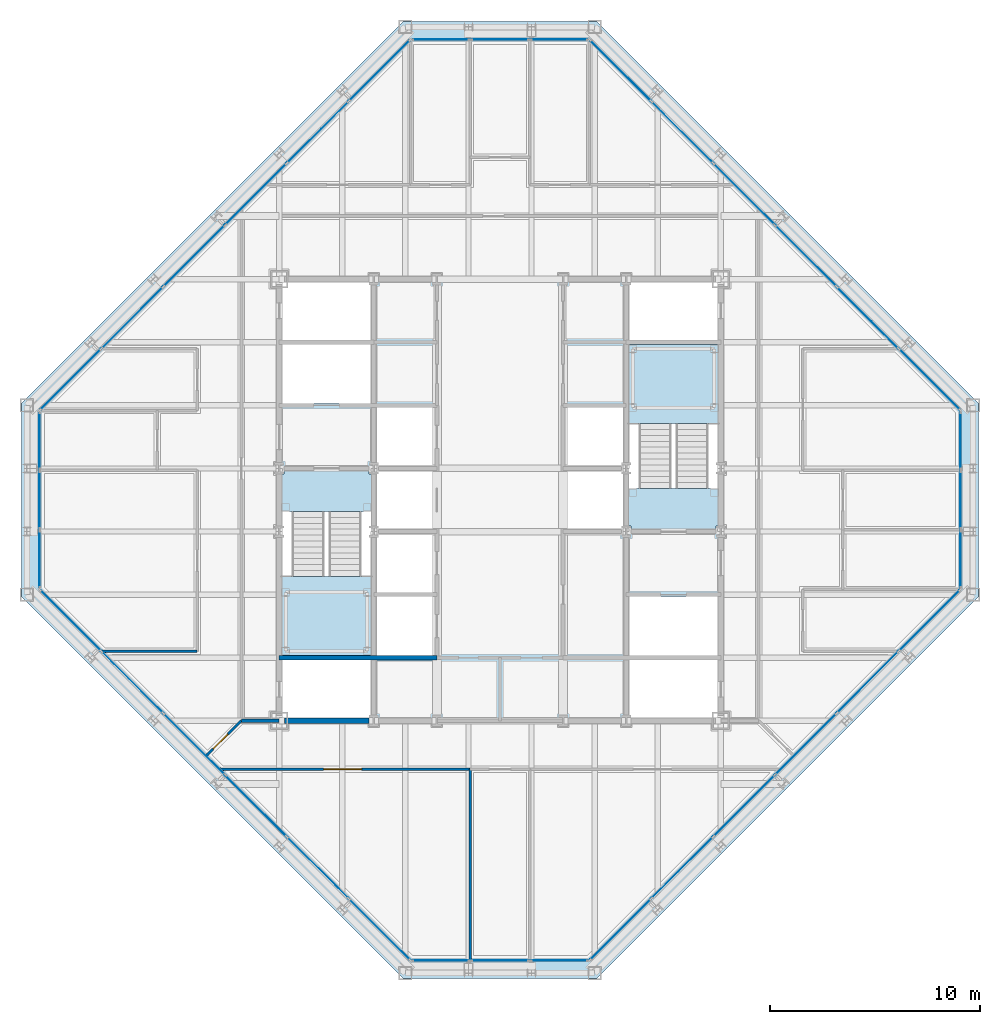
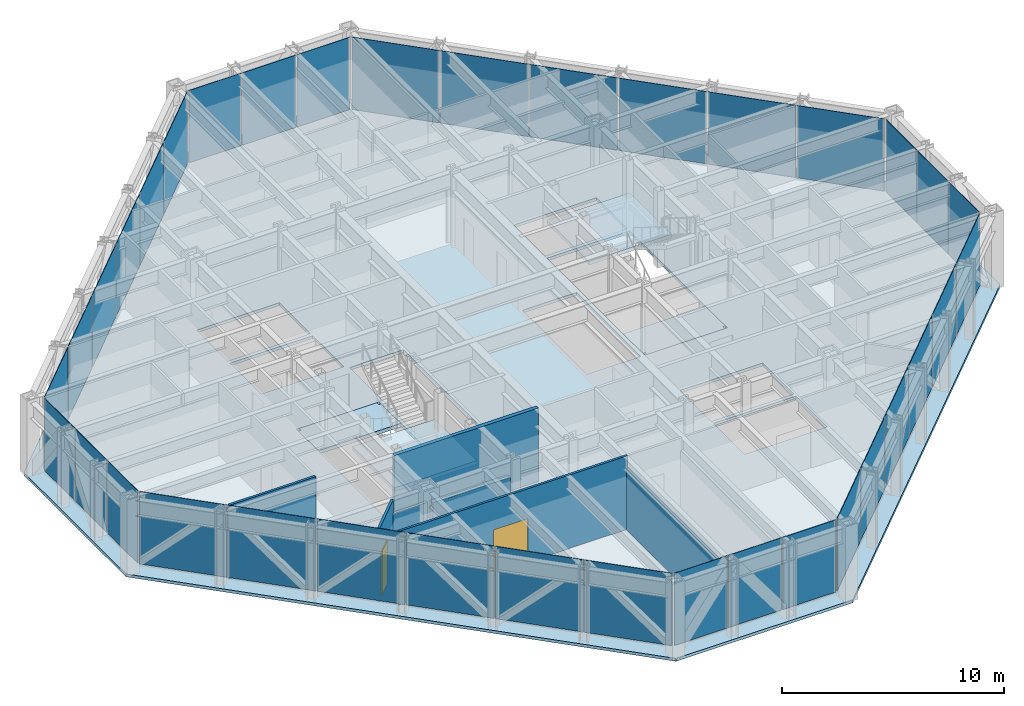
# One storey, part 9 of 15: 36 plates, 7 walls, 5 slabs, 2 doors, 2 openings, 10 elements without a shape of their own.
"""IFC4 building model written with IfcOpenShell, lengths in metres."""

from ifc_helpers import new_model, si_unit, direction, frame, frame_2d, origin, origin_2d, place, context, subcontext, project, spatial, polyline, rectangle, outline, extrude, material, layer, layer_set, type_object, element, fill, aggregate, save


model = new_model("IFC4")

# Units and contexts
model_context = context("Model", 3, precision=1e-05, world=origin(), true_north=direction((0.0, 1.0)))
body_context = subcontext(model_context, "Body", "Model", "MODEL_VIEW")
ifc_project = project(units=[si_unit("LENGTHUNIT", "METRE"), si_unit("AREAUNIT", "SQUARE_METRE"), si_unit("VOLUMEUNIT", "CUBIC_METRE"), si_unit("PLANEANGLEUNIT", "RADIAN"), si_unit("MASSUNIT", "GRAM", prefix="KILO")], contexts=[model_context])

# Site, building, storey
site_placement = place(None, origin())
site = spatial("IfcSite", under=ifc_project, at=site_placement, CompositionType="ELEMENT")
building_placement = place(site_placement, origin())
building = spatial("IfcBuilding", under=site, at=building_placement, Name="Chuquiago Exchange Tower", CompositionType="ELEMENT")
storey_placement = place(building_placement, frame((0.0, 0.0, 266.39990234375)))
storey = spatial("IfcBuildingStorey", under=building, at=storey_placement, Name="L59", CompositionType="ELEMENT", Elevation=266.39990234375)

# Curtain wall, plate
ifc_material_1 = material(Name="Aluminium curtain wall system", Category="aluminium")
ifc_layer_1 = layer(ifc_material_1, 0.22509765625)
ifc_layer_set_1 = layer_set([ifc_layer_1], Name="CW2 office curtain wall")
curtain_wall_type_1 = type_object("IfcCurtainWallType", Name="CW2 office curtain wall", PredefinedType="NOTDEFINED", material=ifc_layer_set_1)
curtain_wall_1_placement = place(storey_placement, origin())
curtain_wall_1 = element("IfcCurtainWall", 1, at=curtain_wall_1_placement, inside=storey, type_object=curtain_wall_type_1, Name="CW2 curtain wall L59", PredefinedType="NOTDEFINED")
ifc_material_2 = material(Name="Glass, insulating unit", Category="glass")
ifc_layer_2 = layer(ifc_material_2, 0.030029296875)
ifc_layer_set_2 = layer_set([ifc_layer_2], Name="CW2-P panel 30")
plate_type_1 = type_object("IfcPlateType", Name="CW2-P panel 30", PredefinedType="CURTAIN_PANEL", material=ifc_layer_set_2)
plate_1_placement = place(storey_placement, frame((25.318115234375, 0.60009765625, 0.06494140625), z_axis=(0.0, 0.0, 1.0), x_axis=(1.0, 0.0, 0.0)))
plate_1 = element("IfcPlate", 2, at=plate_1_placement, type_object=plate_type_1, Name="CW2 panel 3.1", PredefinedType="CURTAIN_PANEL", context=body_context, shape_type="SweptSolid", body=[
    extrude(rectangle(XDim=2.73681640625, YDim=0.030029296875, at=origin_2d()), origin(), (0.0, 0.0, 1.0), 3.97509765625),
])

curtain_wall_2_placement = place(storey_placement, origin())
curtain_wall_2 = element("IfcCurtainWall", 3, at=curtain_wall_2_placement, inside=storey, type_object=curtain_wall_type_1, Name="CW2 curtain wall L59", PredefinedType="NOTDEFINED")
plate_2_placement = place(storey_placement, frame((44.39990234375, 25.318115234375, 0.06494140625), z_axis=(0.0, 0.0, 1.0), x_axis=(0.0, 1.0, 0.0)))
plate_2 = element("IfcPlate", 4, at=plate_2_placement, type_object=plate_type_1, Name="CW2 panel 3.1", PredefinedType="CURTAIN_PANEL", context=body_context, shape_type="SweptSolid", body=[
    extrude(rectangle(XDim=2.73681640625, YDim=0.030029296875, at=origin_2d()), origin(), (0.0, 0.0, 1.0), 3.97509765625),
])

curtain_wall_3_placement = place(storey_placement, origin())
curtain_wall_3 = element("IfcCurtainWall", 5, at=curtain_wall_3_placement, inside=storey, type_object=curtain_wall_type_1, Name="CW2 curtain wall L59", PredefinedType="NOTDEFINED")
plate_3_placement = place(storey_placement, frame((19.681884765625, 44.39990234375, 0.06494140625), z_axis=(0.0, 0.0, 1.0), x_axis=(-1.0, 0.0, 0.0)))
plate_3 = element("IfcPlate", 6, at=plate_3_placement, type_object=plate_type_1, Name="CW2 panel 3.1", PredefinedType="CURTAIN_PANEL", context=body_context, shape_type="SweptSolid", body=[
    extrude(rectangle(XDim=2.73681640625, YDim=0.030029296875, at=origin_2d()), origin(), (0.0, 0.0, 1.0), 3.97509765625),
])

curtain_wall_4_placement = place(storey_placement, origin())
curtain_wall_4 = element("IfcCurtainWall", 7, at=curtain_wall_4_placement, inside=storey, type_object=curtain_wall_type_1, Name="CW2 curtain wall L59", PredefinedType="NOTDEFINED")
plate_4_placement = place(storey_placement, frame((0.60009765625, 19.681884765625, 0.06494140625), z_axis=(0.0, 0.0, 1.0), x_axis=(0.0, -1.0, 0.0)))
plate_4 = element("IfcPlate", 8, at=plate_4_placement, type_object=plate_type_1, Name="CW2 panel 3.1", PredefinedType="CURTAIN_PANEL", context=body_context, shape_type="SweptSolid", body=[
    extrude(rectangle(XDim=2.73681640625, YDim=0.030029296875, at=origin_2d()), origin(), (0.0, 0.0, 1.0), 3.97509765625),
])

# Plate
ifc_material_3 = material(Name="Insulated spandrel panel, pale anodised aluminium", Category="aluminium")
ifc_layer_3 = layer(ifc_material_3, 0.030029296875)
ifc_layer_set_3 = layer_set([ifc_layer_3], Name="CW2-P spandrel panel 30")
plate_type_2 = type_object("IfcPlateType", Name="CW2-P spandrel panel 30", PredefinedType="CURTAIN_PANEL", material=ifc_layer_set_3)
plate_5_placement = place(storey_placement, frame((19.681884765625, 0.60009765625, 0.06494140625), z_axis=(0.0, 0.0, 1.0), x_axis=(1.0, 0.0, 0.0)))
plate_5 = element("IfcPlate", 9, at=plate_5_placement, type_object=plate_type_2, Name="CW2 panel 1.1", PredefinedType="CURTAIN_PANEL", context=body_context, shape_type="SweptSolid", body=[
    extrude(rectangle(XDim=2.73681640625, YDim=0.030029296875, at=origin_2d()), origin(), (0.0, 0.0, 1.0), 3.97509765625),
])

plate_6_placement = place(storey_placement, frame((22.5, 0.60009765625, 0.06494140625), z_axis=(0.0, 0.0, 1.0), x_axis=(1.0, 0.0, 0.0)))
plate_6 = element("IfcPlate", 10, at=plate_6_placement, type_object=plate_type_2, Name="CW2 panel 2.1", PredefinedType="CURTAIN_PANEL", context=body_context, shape_type="SweptSolid", body=[
    extrude(rectangle(XDim=2.769287109375, YDim=0.030029296875, at=origin_2d()), origin(), (0.0, 0.0, 1.0), 3.97509765625),
])

aggregate(curtain_wall_1, [plate_5, plate_6, plate_1])

plate_7_placement = place(storey_placement, frame((44.39990234375, 19.681884765625, 0.06494140625), z_axis=(0.0, 0.0, 1.0), x_axis=(0.0, 1.0, 0.0)))
plate_7 = element("IfcPlate", 11, at=plate_7_placement, type_object=plate_type_2, Name="CW2 panel 1.1", PredefinedType="CURTAIN_PANEL", context=body_context, shape_type="SweptSolid", body=[
    extrude(rectangle(XDim=2.73681640625, YDim=0.030029296875, at=origin_2d()), origin(), (0.0, 0.0, 1.0), 3.97509765625),
])

plate_8_placement = place(storey_placement, frame((44.39990234375, 22.5, 0.06494140625), z_axis=(0.0, 0.0, 1.0), x_axis=(0.0, 1.0, 0.0)))
plate_8 = element("IfcPlate", 12, at=plate_8_placement, type_object=plate_type_2, Name="CW2 panel 2.1", PredefinedType="CURTAIN_PANEL", context=body_context, shape_type="SweptSolid", body=[
    extrude(rectangle(XDim=2.769287109375, YDim=0.030029296875, at=origin_2d()), origin(), (0.0, 0.0, 1.0), 3.97509765625),
])

aggregate(curtain_wall_2, [plate_7, plate_8, plate_2])

plate_9_placement = place(storey_placement, frame((25.318115234375, 44.39990234375, 0.06494140625), z_axis=(0.0, 0.0, 1.0), x_axis=(-1.0, 0.0, 0.0)))
plate_9 = element("IfcPlate", 13, at=plate_9_placement, type_object=plate_type_2, Name="CW2 panel 1.1", PredefinedType="CURTAIN_PANEL", context=body_context, shape_type="SweptSolid", body=[
    extrude(rectangle(XDim=2.73681640625, YDim=0.030029296875, at=origin_2d()), origin(), (0.0, 0.0, 1.0), 3.97509765625),
])

plate_10_placement = place(storey_placement, frame((22.5, 44.39990234375, 0.06494140625), z_axis=(0.0, 0.0, 1.0), x_axis=(-1.0, 0.0, 0.0)))
plate_10 = element("IfcPlate", 14, at=plate_10_placement, type_object=plate_type_2, Name="CW2 panel 2.1", PredefinedType="CURTAIN_PANEL", context=body_context, shape_type="SweptSolid", body=[
    extrude(rectangle(XDim=2.769287109375, YDim=0.030029296875, at=origin_2d()), origin(), (0.0, 0.0, 1.0), 3.97509765625),
])

aggregate(curtain_wall_3, [plate_9, plate_10, plate_3])

plate_11_placement = place(storey_placement, frame((0.60009765625, 25.318115234375, 0.06494140625), z_axis=(0.0, 0.0, 1.0), x_axis=(0.0, -1.0, 0.0)))
plate_11 = element("IfcPlate", 15, at=plate_11_placement, type_object=plate_type_2, Name="CW2 panel 1.1", PredefinedType="CURTAIN_PANEL", context=body_context, shape_type="SweptSolid", body=[
    extrude(rectangle(XDim=2.73681640625, YDim=0.030029296875, at=origin_2d()), origin(), (0.0, 0.0, 1.0), 3.97509765625),
])

plate_12_placement = place(storey_placement, frame((0.60009765625, 22.5, 0.06494140625), z_axis=(0.0, 0.0, 1.0), x_axis=(0.0, -1.0, 0.0)))
plate_12 = element("IfcPlate", 16, at=plate_12_placement, type_object=plate_type_2, Name="CW2 panel 2.1", PredefinedType="CURTAIN_PANEL", context=body_context, shape_type="SweptSolid", body=[
    extrude(rectangle(XDim=2.769287109375, YDim=0.030029296875, at=origin_2d()), origin(), (0.0, 0.0, 1.0), 3.97509765625),
])

aggregate(curtain_wall_4, [plate_11, plate_12, plate_4])

# Curtain wall, plates
ifc_material_4 = material(Name="Aluminium curtain wall system", Category="aluminium")
ifc_layer_4 = layer(ifc_material_4, 0.199951171875)
ifc_layer_set_4 = layer_set([ifc_layer_4], Name="CW3 facet curtain wall")
curtain_wall_type_2 = type_object("IfcCurtainWallType", Name="CW3 facet curtain wall", PredefinedType="NOTDEFINED", material=ifc_layer_set_4)
curtain_wall_5_placement = place(storey_placement, origin())
curtain_wall_5 = element("IfcCurtainWall", 17, at=curtain_wall_5_placement, inside=storey, type_object=curtain_wall_type_2, Name="CW3 curtain wall L59", PredefinedType="NOTDEFINED")
ifc_material_5 = material(Name="Insulated spandrel panel, pale anodised aluminium", Category="aluminium")
ifc_layer_5 = layer(ifc_material_5, 0.030029296875)
ifc_layer_set_5 = layer_set([ifc_layer_5], Name="CW3-P spandrel panel 30")
plate_type_3 = type_object("IfcPlateType", Name="CW3-P spandrel panel 30", PredefinedType="CURTAIN_PANEL", material=ifc_layer_set_5)
plate_13_placement = place(storey_placement, frame((28.233642578125, 2.082275390625, 0.06494140625), z_axis=(0.0, 0.0, 1.0), x_axis=(0.707106781187, 0.707106781187, 0.0)))
plate_13 = element("IfcPlate", 18, at=plate_13_placement, type_object=plate_type_3, Name="CW3 panel 1.1", PredefinedType="CURTAIN_PANEL", context=body_context, shape_type="SweptSolid", body=[
    extrude(rectangle(XDim=4.062255859375, YDim=0.030029296875, at=origin_2d()), origin(), (0.0, 0.0, 1.0), 3.97509765625),
])
plate_14_placement = place(storey_placement, frame((31.16357421875, 5.01220703125, 0.06494140625), z_axis=(0.0, 0.0, 1.0), x_axis=(0.707106781187, 0.707106781187, 0.0)))
plate_14 = element("IfcPlate", 19, at=plate_14_placement, type_object=plate_type_3, Name="CW3 panel 2.1", PredefinedType="CURTAIN_PANEL", context=body_context, shape_type="SweptSolid", body=[
    extrude(rectangle(XDim=4.0947265625, YDim=0.030029296875, at=origin_2d()), origin(), (0.0, 0.0, 1.0), 3.97509765625),
])
plate_15_placement = place(storey_placement, frame((34.10498046875, 7.95361328125, 0.06494140625), z_axis=(0.0, 0.0, 1.0), x_axis=(0.707106781187, 0.707106781187, 0.0)))
plate_15 = element("IfcPlate", 20, at=plate_15_placement, type_object=plate_type_3, Name="CW3 panel 3.1", PredefinedType="CURTAIN_PANEL", context=body_context, shape_type="SweptSolid", body=[
    extrude(rectangle(XDim=4.0947265625, YDim=0.030029296875, at=origin_2d()), origin(), (0.0, 0.0, 1.0), 3.97509765625),
])
plate_16_placement = place(storey_placement, frame((37.04638671875, 10.89501953125, 0.06494140625), z_axis=(0.0, 0.0, 1.0), x_axis=(0.707106781187, 0.707106781187, 0.0)))
plate_16 = element("IfcPlate", 21, at=plate_16_placement, type_object=plate_type_3, Name="CW3 panel 4.1", PredefinedType="CURTAIN_PANEL", context=body_context, shape_type="SweptSolid", body=[
    extrude(rectangle(XDim=4.0947265625, YDim=0.030029296875, at=origin_2d()), origin(), (0.0, 0.0, 1.0), 3.97509765625),
])
plate_17_placement = place(storey_placement, frame((39.98779296875, 13.83642578125, 0.06494140625), z_axis=(0.0, 0.0, 1.0), x_axis=(0.707106781187, 0.707106781187, 0.0)))
plate_17 = element("IfcPlate", 22, at=plate_17_placement, type_object=plate_type_3, Name="CW3 panel 5.1", PredefinedType="CURTAIN_PANEL", context=body_context, shape_type="SweptSolid", body=[
    extrude(rectangle(XDim=4.0947265625, YDim=0.030029296875, at=origin_2d()), origin(), (0.0, 0.0, 1.0), 3.97509765625),
])
plate_18_placement = place(storey_placement, frame((42.917724609375, 16.766357421875, 0.06494140625), z_axis=(0.0, 0.0, 1.0), x_axis=(0.707106781187, 0.707106781187, 0.0)))
plate_18 = element("IfcPlate", 23, at=plate_18_placement, type_object=plate_type_3, Name="CW3 panel 6.1", PredefinedType="CURTAIN_PANEL", context=body_context, shape_type="SweptSolid", body=[
    extrude(rectangle(XDim=4.062255859375, YDim=0.030029296875, at=origin_2d()), origin(), (0.0, 0.0, 1.0), 3.97509765625),
])
aggregate(curtain_wall_5, [plate_13, plate_14, plate_15, plate_16, plate_17, plate_18])

curtain_wall_6_placement = place(storey_placement, origin())
curtain_wall_6 = element("IfcCurtainWall", 24, at=curtain_wall_6_placement, inside=storey, type_object=curtain_wall_type_2, Name="CW3 curtain wall L59", PredefinedType="NOTDEFINED")
plate_19_placement = place(storey_placement, frame((42.917724609375, 28.233642578125, 0.06494140625), z_axis=(0.0, 0.0, 1.0), x_axis=(-0.707106781187, 0.707106781187, 0.0)))
plate_19 = element("IfcPlate", 25, at=plate_19_placement, type_object=plate_type_3, Name="CW3 panel 1.1", PredefinedType="CURTAIN_PANEL", context=body_context, shape_type="SweptSolid", body=[
    extrude(rectangle(XDim=4.062255859375, YDim=0.030029296875, at=origin_2d()), origin(), (0.0, 0.0, 1.0), 3.97509765625),
])
plate_20_placement = place(storey_placement, frame((39.98779296875, 31.16357421875, 0.06494140625), z_axis=(0.0, 0.0, 1.0), x_axis=(-0.707106781187, 0.707106781187, 0.0)))
plate_20 = element("IfcPlate", 26, at=plate_20_placement, type_object=plate_type_3, Name="CW3 panel 2.1", PredefinedType="CURTAIN_PANEL", context=body_context, shape_type="SweptSolid", body=[
    extrude(rectangle(XDim=4.0947265625, YDim=0.030029296875, at=origin_2d()), origin(), (0.0, 0.0, 1.0), 3.97509765625),
])
plate_21_placement = place(storey_placement, frame((37.04638671875, 34.10498046875, 0.06494140625), z_axis=(0.0, 0.0, 1.0), x_axis=(-0.707106781187, 0.707106781187, 0.0)))
plate_21 = element("IfcPlate", 27, at=plate_21_placement, type_object=plate_type_3, Name="CW3 panel 3.1", PredefinedType="CURTAIN_PANEL", context=body_context, shape_type="SweptSolid", body=[
    extrude(rectangle(XDim=4.0947265625, YDim=0.030029296875, at=origin_2d()), origin(), (0.0, 0.0, 1.0), 3.97509765625),
])
plate_22_placement = place(storey_placement, frame((34.10498046875, 37.04638671875, 0.06494140625), z_axis=(0.0, 0.0, 1.0), x_axis=(-0.707106781187, 0.707106781187, 0.0)))
plate_22 = element("IfcPlate", 28, at=plate_22_placement, type_object=plate_type_3, Name="CW3 panel 4.1", PredefinedType="CURTAIN_PANEL", context=body_context, shape_type="SweptSolid", body=[
    extrude(rectangle(XDim=4.0947265625, YDim=0.030029296875, at=origin_2d()), origin(), (0.0, 0.0, 1.0), 3.97509765625),
])
plate_23_placement = place(storey_placement, frame((31.16357421875, 39.98779296875, 0.06494140625), z_axis=(0.0, 0.0, 1.0), x_axis=(-0.707106781187, 0.707106781187, 0.0)))
plate_23 = element("IfcPlate", 29, at=plate_23_placement, type_object=plate_type_3, Name="CW3 panel 5.1", PredefinedType="CURTAIN_PANEL", context=body_context, shape_type="SweptSolid", body=[
    extrude(rectangle(XDim=4.0947265625, YDim=0.030029296875, at=origin_2d()), origin(), (0.0, 0.0, 1.0), 3.97509765625),
])
plate_24_placement = place(storey_placement, frame((28.233642578125, 42.917724609375, 0.06494140625), z_axis=(0.0, 0.0, 1.0), x_axis=(-0.707106781187, 0.707106781187, 0.0)))
plate_24 = element("IfcPlate", 30, at=plate_24_placement, type_object=plate_type_3, Name="CW3 panel 6.1", PredefinedType="CURTAIN_PANEL", context=body_context, shape_type="SweptSolid", body=[
    extrude(rectangle(XDim=4.062255859375, YDim=0.030029296875, at=origin_2d()), origin(), (0.0, 0.0, 1.0), 3.97509765625),
])
aggregate(curtain_wall_6, [plate_19, plate_20, plate_21, plate_22, plate_23, plate_24])

curtain_wall_7_placement = place(storey_placement, origin())
curtain_wall_7 = element("IfcCurtainWall", 31, at=curtain_wall_7_placement, inside=storey, type_object=curtain_wall_type_2, Name="CW3 curtain wall L59", PredefinedType="NOTDEFINED")
plate_25_placement = place(storey_placement, frame((16.766357421875, 42.917724609375, 0.06494140625), z_axis=(0.0, 0.0, 1.0), x_axis=(-0.707106781187, -0.707106781187, 0.0)))
plate_25 = element("IfcPlate", 32, at=plate_25_placement, type_object=plate_type_3, Name="CW3 panel 1.1", PredefinedType="CURTAIN_PANEL", context=body_context, shape_type="SweptSolid", body=[
    extrude(rectangle(XDim=4.062255859375, YDim=0.030029296875, at=origin_2d()), origin(), (0.0, 0.0, 1.0), 3.97509765625),
])
plate_26_placement = place(storey_placement, frame((13.83642578125, 39.98779296875, 0.06494140625), z_axis=(0.0, 0.0, 1.0), x_axis=(-0.707106781187, -0.707106781187, 0.0)))
plate_26 = element("IfcPlate", 33, at=plate_26_placement, type_object=plate_type_3, Name="CW3 panel 2.1", PredefinedType="CURTAIN_PANEL", context=body_context, shape_type="SweptSolid", body=[
    extrude(rectangle(XDim=4.0947265625, YDim=0.030029296875, at=origin_2d()), origin(), (0.0, 0.0, 1.0), 3.97509765625),
])
plate_27_placement = place(storey_placement, frame((10.89501953125, 37.04638671875, 0.06494140625), z_axis=(0.0, 0.0, 1.0), x_axis=(-0.707106781187, -0.707106781187, 0.0)))
plate_27 = element("IfcPlate", 34, at=plate_27_placement, type_object=plate_type_3, Name="CW3 panel 3.1", PredefinedType="CURTAIN_PANEL", context=body_context, shape_type="SweptSolid", body=[
    extrude(rectangle(XDim=4.0947265625, YDim=0.030029296875, at=origin_2d()), origin(), (0.0, 0.0, 1.0), 3.97509765625),
])
plate_28_placement = place(storey_placement, frame((7.95361328125, 34.10498046875, 0.06494140625), z_axis=(0.0, 0.0, 1.0), x_axis=(-0.707106781187, -0.707106781187, 0.0)))
plate_28 = element("IfcPlate", 35, at=plate_28_placement, type_object=plate_type_3, Name="CW3 panel 4.1", PredefinedType="CURTAIN_PANEL", context=body_context, shape_type="SweptSolid", body=[
    extrude(rectangle(XDim=4.0947265625, YDim=0.030029296875, at=origin_2d()), origin(), (0.0, 0.0, 1.0), 3.97509765625),
])
plate_29_placement = place(storey_placement, frame((5.01220703125, 31.16357421875, 0.06494140625), z_axis=(0.0, 0.0, 1.0), x_axis=(-0.707106781187, -0.707106781187, 0.0)))
plate_29 = element("IfcPlate", 36, at=plate_29_placement, type_object=plate_type_3, Name="CW3 panel 5.1", PredefinedType="CURTAIN_PANEL", context=body_context, shape_type="SweptSolid", body=[
    extrude(rectangle(XDim=4.0947265625, YDim=0.030029296875, at=origin_2d()), origin(), (0.0, 0.0, 1.0), 3.97509765625),
])
plate_30_placement = place(storey_placement, frame((2.082275390625, 28.233642578125, 0.06494140625), z_axis=(0.0, 0.0, 1.0), x_axis=(-0.707106781187, -0.707106781187, 0.0)))
plate_30 = element("IfcPlate", 37, at=plate_30_placement, type_object=plate_type_3, Name="CW3 panel 6.1", PredefinedType="CURTAIN_PANEL", context=body_context, shape_type="SweptSolid", body=[
    extrude(rectangle(XDim=4.062255859375, YDim=0.030029296875, at=origin_2d()), origin(), (0.0, 0.0, 1.0), 3.97509765625),
])
aggregate(curtain_wall_7, [plate_25, plate_26, plate_27, plate_28, plate_29, plate_30])

curtain_wall_8_placement = place(storey_placement, origin())
curtain_wall_8 = element("IfcCurtainWall", 38, at=curtain_wall_8_placement, inside=storey, type_object=curtain_wall_type_2, Name="CW3 curtain wall L59", PredefinedType="NOTDEFINED")
plate_31_placement = place(storey_placement, frame((2.082275390625, 16.766357421875, 0.06494140625), z_axis=(0.0, 0.0, 1.0), x_axis=(0.707106781187, -0.707106781187, 0.0)))
plate_31 = element("IfcPlate", 39, at=plate_31_placement, type_object=plate_type_3, Name="CW3 panel 1.1", PredefinedType="CURTAIN_PANEL", context=body_context, shape_type="SweptSolid", body=[
    extrude(rectangle(XDim=4.062255859375, YDim=0.030029296875, at=origin_2d()), origin(), (0.0, 0.0, 1.0), 3.97509765625),
])
plate_32_placement = place(storey_placement, frame((5.01220703125, 13.83642578125, 0.06494140625), z_axis=(0.0, 0.0, 1.0), x_axis=(0.707106781187, -0.707106781187, 0.0)))
plate_32 = element("IfcPlate", 40, at=plate_32_placement, type_object=plate_type_3, Name="CW3 panel 2.1", PredefinedType="CURTAIN_PANEL", context=body_context, shape_type="SweptSolid", body=[
    extrude(rectangle(XDim=4.0947265625, YDim=0.030029296875, at=origin_2d()), origin(), (0.0, 0.0, 1.0), 3.97509765625),
])
plate_33_placement = place(storey_placement, frame((7.95361328125, 10.89501953125, 0.06494140625), z_axis=(0.0, 0.0, 1.0), x_axis=(0.707106781187, -0.707106781187, 0.0)))
plate_33 = element("IfcPlate", 41, at=plate_33_placement, type_object=plate_type_3, Name="CW3 panel 3.1", PredefinedType="CURTAIN_PANEL", context=body_context, shape_type="SweptSolid", body=[
    extrude(rectangle(XDim=4.0947265625, YDim=0.030029296875, at=origin_2d()), origin(), (0.0, 0.0, 1.0), 3.97509765625),
])
plate_34_placement = place(storey_placement, frame((10.89501953125, 7.95361328125, 0.06494140625), z_axis=(0.0, 0.0, 1.0), x_axis=(0.707106781187, -0.707106781187, 0.0)))
plate_34 = element("IfcPlate", 42, at=plate_34_placement, type_object=plate_type_3, Name="CW3 panel 4.1", PredefinedType="CURTAIN_PANEL", context=body_context, shape_type="SweptSolid", body=[
    extrude(rectangle(XDim=4.0947265625, YDim=0.030029296875, at=origin_2d()), origin(), (0.0, 0.0, 1.0), 3.97509765625),
])
plate_35_placement = place(storey_placement, frame((13.83642578125, 5.01220703125, 0.06494140625), z_axis=(0.0, 0.0, 1.0), x_axis=(0.707106781187, -0.707106781187, 0.0)))
plate_35 = element("IfcPlate", 43, at=plate_35_placement, type_object=plate_type_3, Name="CW3 panel 5.1", PredefinedType="CURTAIN_PANEL", context=body_context, shape_type="SweptSolid", body=[
    extrude(rectangle(XDim=4.0947265625, YDim=0.030029296875, at=origin_2d()), origin(), (0.0, 0.0, 1.0), 3.97509765625),
])
plate_36_placement = place(storey_placement, frame((16.766357421875, 2.082275390625, 0.06494140625), z_axis=(0.0, 0.0, 1.0), x_axis=(0.707106781187, -0.707106781187, 0.0)))
plate_36 = element("IfcPlate", 44, at=plate_36_placement, type_object=plate_type_3, Name="CW3 panel 6.1", PredefinedType="CURTAIN_PANEL", context=body_context, shape_type="SweptSolid", body=[
    extrude(rectangle(XDim=4.062255859375, YDim=0.030029296875, at=origin_2d()), origin(), (0.0, 0.0, 1.0), 3.97509765625),
])
aggregate(curtain_wall_8, [plate_31, plate_32, plate_33, plate_34, plate_35, plate_36])

# Slab
ifc_material_6 = material(Name="Concrete C30/37", Category="concrete")
ifc_layer_6 = layer(ifc_material_6, 0.159912109375)
ifc_layer_set_6 = layer_set([ifc_layer_6], Name="FS1 composite floor 160")
slab_type_1 = type_object("IfcSlabType", Name="FS1 composite floor 160", PredefinedType="FLOOR", material=ifc_layer_set_6)
slab_1_placement = place(storey_placement, frame((0.0, 0.0, -0.159912109375)))
element("IfcSlab", 45, at=slab_1_placement, inside=storey, type_object=slab_type_1, Name="L59 floor slab", PredefinedType="FLOOR", context=body_context, shape_type="SweptSolid", body=[
    extrude(outline(polyline([(17.896484375, -0.25), (-0.25, 17.896484375), (-0.25, 27.103515625), (17.896484375, 45.25), (27.103515625, 45.25), (45.25, 27.103515625), (45.25, 17.896484375), (27.103515625, -0.25), (17.896484375, -0.25)]), holes=[polyline([(16.39990234375, 15.10009765625), (12.10009765625, 15.10009765625), (12.10009765625, 23.89990234375), (16.39990234375, 23.89990234375), (16.39990234375, 15.10009765625)]), polyline([(32.89990234375, 21.10009765625), (28.60009765625, 21.10009765625), (28.60009765625, 29.89990234375), (32.89990234375, 29.89990234375), (32.89990234375, 21.10009765625)]), polyline([(16.39990234375, 12.10009765625), (12.10009765625, 12.10009765625), (12.10009765625, 14.89990234375), (16.39990234375, 14.89990234375), (16.39990234375, 12.10009765625)]), polyline([(16.39990234375, 30.10009765625), (12.10009765625, 30.10009765625), (12.10009765625, 32.89990234375), (16.39990234375, 32.89990234375), (16.39990234375, 30.10009765625)]), polyline([(32.89990234375, 12.10009765625), (28.60009765625, 12.10009765625), (28.60009765625, 14.89990234375), (32.89990234375, 14.89990234375), (32.89990234375, 12.10009765625)]), polyline([(32.89990234375, 30.10009765625), (28.60009765625, 30.10009765625), (28.60009765625, 32.89990234375), (32.89990234375, 32.89990234375), (32.89990234375, 30.10009765625)]), polyline([(16.39990234375, 27.10009765625), (12.10009765625, 27.10009765625), (12.10009765625, 29.89990234375), (16.39990234375, 29.89990234375), (16.39990234375, 27.10009765625)]), polyline([(32.89990234375, 15.10009765625), (28.60009765625, 15.10009765625), (28.60009765625, 17.89990234375), (32.89990234375, 17.89990234375), (32.89990234375, 15.10009765625)]), polyline([(19.39990234375, 15.10009765625), (16.60009765625, 15.10009765625), (16.60009765625, 26.89990234375), (19.39990234375, 26.89990234375), (19.39990234375, 15.10009765625)]), polyline([(28.39990234375, 21.10009765625), (25.60009765625, 21.10009765625), (25.60009765625, 26.89990234375), (28.39990234375, 26.89990234375), (28.39990234375, 21.10009765625)])]), origin(), (0.0, 0.0, 1.0), 0.159912109375),
])

# Stair, slabs
ifc_material_7 = material(Name="Concrete C30/37, precast", Category="concrete")
stair_type_1 = type_object("IfcStairType", Name="ST1 half-turn stair 4200", PredefinedType="HALF_TURN_STAIR", material=ifc_material_7)
stair_1_placement = place(storey_placement, origin())
stair_1 = element("IfcStair", 46, at=stair_1_placement, inside=storey, type_object=stair_type_1, Name="Stair ST1 L59", PredefinedType="HALF_TURN_STAIR")
ifc_material_8 = material(Name="Concrete C30/37, precast", Category="concrete")
ifc_layer_7 = layer(ifc_material_8, 0.199951171875)
ifc_layer_set_7 = layer_set([ifc_layer_7], Name="ST-L landing 200")
slab_type_2 = type_object("IfcSlabType", Name="ST-L landing 200", PredefinedType="LANDING", material=ifc_layer_set_7)
slab_2_placement = place(storey_placement, frame((0.0, 0.0, -0.199951171875)))
slab_2 = element("IfcSlab", 47, at=slab_2_placement, type_object=slab_type_2, Name="ST1 landing 1", PredefinedType="LANDING", context=body_context, shape_type="SweptSolid", body=[
    extrude(outline(polyline([(12.224853515625, 23.89990234375), (16.275146484375, 23.89990234375), (16.275146484375, 23.7255859375), (16.39990234375, 23.7255859375), (16.39990234375, 21.949951171875), (12.10009765625, 21.949951171875), (12.10009765625, 23.7255859375), (12.224853515625, 23.7255859375), (12.224853515625, 23.89990234375)])), origin(), (0.0, 0.0, 1.0), 0.199951171875),
])
slab_3_placement = place(storey_placement, frame((0.0, 0.0, 1.900146484375)))
slab_3 = element("IfcSlab", 48, at=slab_3_placement, type_object=slab_type_2, Name="ST1 landing 2", PredefinedType="LANDING", context=body_context, shape_type="SweptSolid", body=[
    extrude(outline(polyline([(12.10009765625, 18.8701171875), (16.39990234375, 18.8701171875), (16.39990234375, 15.10009765625), (12.10009765625, 15.10009765625), (12.10009765625, 18.8701171875)])), origin(), (0.0, 0.0, 1.0), 0.199951171875),
])
aggregate(stair_1, [slab_2, slab_3])

ifc_material_9 = material(Name="Concrete C30/37, precast", Category="concrete")
stair_type_2 = type_object("IfcStairType", Name="ST2 half-turn stair 4200", PredefinedType="HALF_TURN_STAIR", material=ifc_material_9)
stair_2_placement = place(storey_placement, origin())
stair_2 = element("IfcStair", 49, at=stair_2_placement, inside=storey, type_object=stair_type_2, Name="Stair ST2 L59", PredefinedType="HALF_TURN_STAIR")
slab_4_placement = place(storey_placement, frame((0.0, 0.0, -0.199951171875)))
slab_4 = element("IfcSlab", 50, at=slab_4_placement, type_object=slab_type_2, Name="ST2 landing 1", PredefinedType="LANDING", context=body_context, shape_type="SweptSolid", body=[
    extrude(outline(polyline([(32.775146484375, 21.2744140625), (32.775146484375, 21.10009765625), (28.724853515625, 21.10009765625), (28.724853515625, 21.2744140625), (28.60009765625, 21.2744140625), (28.60009765625, 23.050048828125), (32.89990234375, 23.050048828125), (32.89990234375, 21.2744140625), (32.775146484375, 21.2744140625)])), origin(), (0.0, 0.0, 1.0), 0.199951171875),
])
slab_5_placement = place(storey_placement, frame((0.0, 0.0, 1.900146484375)))
slab_5 = element("IfcSlab", 51, at=slab_5_placement, type_object=slab_type_2, Name="ST2 landing 2", PredefinedType="LANDING", context=body_context, shape_type="SweptSolid", body=[
    extrude(outline(polyline([(28.60009765625, 29.89990234375), (32.89990234375, 29.89990234375), (32.89990234375, 26.1298828125), (28.60009765625, 26.1298828125), (28.60009765625, 29.89990234375)])), origin(), (0.0, 0.0, 1.0), 0.199951171875),
])
aggregate(stair_2, [slab_4, slab_5])

# Walls
ifc_material_10 = material(Name="Concrete masonry, fully grouted", Category="masonry")
ifc_layer_8 = layer(ifc_material_10, 0.25)
ifc_layer_set_8 = layer_set([ifc_layer_8], Name="W1 core wall 250")
wall_type_1 = type_object("IfcWallType", Name="W1 core wall 250", PredefinedType="SOLIDWALL", material=ifc_layer_set_8)
wall_1_placement = place(storey_placement, frame((12.25, 12.0, 0.0), z_axis=(0.0, 0.0, 1.0), x_axis=(1.0, 0.0, 0.0)))
element("IfcWall", 52, at=wall_1_placement, inside=storey, type_object=wall_type_1, Name="CW-L59-01-0", PredefinedType="SOLIDWALL", context=body_context, shape_type="SweptSolid", body=[
    extrude(rectangle(XDim=4.025146484375, YDim=0.25, at=frame_2d((2.0126953125, 0.0))), origin(), (0.0, 0.0, 1.0), 3.181640625),
])
ifc_material_11 = material(Name="Gypsum board on steel studs, acoustic insulation", Category="steel")
ifc_layer_9 = layer(ifc_material_11, 0.14990234375)
ifc_layer_set_9 = layer_set([ifc_layer_9], Name="W11 corridor wall 150")
wall_type_2 = type_object("IfcWallType", Name="W11 corridor wall 150", PredefinedType="PARTITIONING", material=ifc_layer_set_9)
wall_2_placement = place(storey_placement, frame((10.199951171875, 12.0, 0.0), z_axis=(0.0, 0.0, 1.0), x_axis=(1.0, 0.0, 0.0)))
element("IfcWall", 53, at=wall_2_placement, inside=storey, type_object=wall_type_2, Name="PW-L59-GWS0", PredefinedType="PARTITIONING", context=body_context, shape_type="SweptSolid", body=[
    extrude(rectangle(XDim=1.800048828125, YDim=0.14990234375, at=frame_2d((0.89990234375, 0.0))), origin(), (0.0, 0.0, 1.0), 3.2705078125),
])
ifc_material_12 = material(Name="Concrete masonry, fully grouted", Category="masonry")
ifc_layer_10 = layer(ifc_material_12, 0.199951171875)
ifc_layer_set_10 = layer_set([ifc_layer_10], Name="W2 shaft wall 200")
wall_type_3 = type_object("IfcWallType", Name="W2 shaft wall 200", PredefinedType="SOLIDWALL", material=ifc_layer_set_10)
wall_3_placement = place(storey_placement, frame((12.0, 15.0, 0.0), z_axis=(0.0, 0.0, 1.0), x_axis=(1.0, 0.0, 0.0)))
element("IfcWall", 54, at=wall_3_placement, inside=storey, type_object=wall_type_3, Name="CW-L59-03-0", PredefinedType="SOLIDWALL", context=body_context, shape_type="SweptSolid", body=[
    extrude(rectangle(XDim=7.5, YDim=0.199951171875, at=frame_2d((3.75, 0.0))), origin(), (0.0, 0.0, 1.0), 4.0400390625),
])
ifc_material_13 = material(Name="Gypsum board on steel studs", Category="steel")
ifc_layer_11 = layer(ifc_material_13, 0.1201171875)
ifc_layer_set_11 = layer_set([ifc_layer_11], Name="W4 partition 120")
wall_type_4 = type_object("IfcWallType", Name="W4 partition 120", PredefinedType="PARTITIONING", material=ifc_layer_set_11)
wall_4_placement = place(storey_placement, frame((21.082763671875, 0.652587890625, 0.0), z_axis=(0.0, 0.0, 1.0), x_axis=(0.0, 1.0, 0.0)))
element("IfcWall", 55, at=wall_4_placement, inside=storey, type_object=wall_type_4, Name="PW-L59-S02108", PredefinedType="PARTITIONING", context=body_context, shape_type="SweptSolid", body=[
    extrude(rectangle(XDim=9.04736328125, YDim=0.1201171875, at=frame_2d((4.523681640625, 0.0))), origin(), (0.0, 0.0, 1.0), 3.35693359375),
])

# Wall, opening, door
wall_5_placement = place(storey_placement, frame((9.185546875, 9.699951171875, 0.0), z_axis=(0.0, 0.0, 1.0), x_axis=(1.0, 0.0, 0.0)))
wall_5 = element("IfcWall", 56, at=wall_5_placement, inside=storey, type_object=wall_type_4, Name="PW-L59-SF00942", PredefinedType="PARTITIONING", context=body_context, shape_type="SweptSolid", body=[
    extrude(rectangle(XDim=11.897216796875, YDim=0.1201171875, at=frame_2d((5.94873046875, 0.0))), origin(), (0.0, 0.0, 1.0), 4.0400390625),
])
opening_1_placement = place(wall_5_placement, frame((4.92919921875, 0.0, 0.0)))
opening_1 = element("IfcOpeningElement", 57, at=opening_1_placement, cuts=wall_5, Name="Opening L59-022", PredefinedType="OPENING", context=body_context, shape_type="SweptSolid", body=[
    extrude(rectangle(XDim=1.800048828125, YDim=2.39990234375, at=frame_2d((0.89990234375, 1.199951171875))), frame((0.0, 0.070068359375, 0.0), z_axis=(0.0, -1.0, 0.0), x_axis=(1.0, 0.0, 0.0)), (0.0, 0.0, 1.0), 0.14013671875),
])
ifc_material_14 = material(Name="Timber door pair, laminate faced", Category="wood")
door_type_1 = type_object("IfcDoorType", Name="D15 double room door 1800x2400", OperationType="DOUBLE_DOOR_DOUBLE_SWING", PredefinedType="DOOR", material=ifc_material_14)
door_1_placement = place(opening_1_placement, origin())
door_1 = element("IfcDoor", 58, at=door_1_placement, inside=storey, type_object=door_type_1, Name="Boardroom door", OperationType="DOUBLE_DOOR_DOUBLE_SWING", OverallHeight=2.39990234375, OverallWidth=1.800048828125, PredefinedType="DOOR", context=body_context, shape_type="SweptSolid", body=[
    extrude(rectangle(XDim=1.800048828125, YDim=2.39990234375, at=frame_2d((0.89990234375, 1.199951171875))), frame((0.0, 0.02490234375, 0.0), z_axis=(0.0, -1.0, 0.0), x_axis=(1.0, 0.0, 0.0)), (0.0, 0.0, 1.0), 0.050048828125),
])
fill(opening_1, door_1)

# Wall
wall_6_placement = place(storey_placement, frame((3.607421875, 15.30712890625, 0.0), z_axis=(0.0, 0.0, 1.0), x_axis=(1.0, 0.0, 0.0)))
element("IfcWall", 59, at=wall_6_placement, inside=storey, type_object=wall_type_4, Name="PW-L59-W01531", PredefinedType="PARTITIONING", context=body_context, shape_type="SweptSolid", body=[
    extrude(rectangle(XDim=4.49267578125, YDim=0.1201171875, at=frame_2d((2.246337890625, 0.0))), origin(), (0.0, 0.0, 1.0), 4.0400390625),
])

# Wall, opening, door
wall_7_placement = place(storey_placement, frame((10.199951171875, 12.0, 0.0), z_axis=(0.0, 0.0, 1.0), x_axis=(-0.707106781187, -0.707106781187, 0.0)))
wall_7 = element("IfcWall", 60, at=wall_7_placement, inside=storey, type_object=wall_type_4, Name="PW-L59-QSW", PredefinedType="PARTITIONING", context=body_context, shape_type="SweptSolid", body=[
    extrude(rectangle(XDim=2.337890625, YDim=0.1201171875, at=frame_2d((1.1689453125, 0.0))), origin(), (0.0, 0.0, 1.0), 4.0400390625),
])
opening_2_placement = place(wall_7_placement, frame((0.89990234375, 0.0, 0.0)))
opening_2 = element("IfcOpeningElement", 61, at=opening_2_placement, cuts=wall_7, Name="Opening L59-040", PredefinedType="OPENING", context=body_context, shape_type="SweptSolid", body=[
    extrude(rectangle(XDim=1.0, YDim=2.39990234375, at=frame_2d((0.5, 1.199951171875))), frame((0.0, 0.070068359375, 0.0), z_axis=(0.0, -1.0, 0.0), x_axis=(1.0, 0.0, 0.0)), (0.0, 0.0, 1.0), 0.14013671875),
])
ifc_material_15 = material(Name="Timber door, laminate faced", Category="wood")
door_type_2 = type_object("IfcDoorType", Name="D9 room door 1000x2400", OperationType="SINGLE_SWING_LEFT", PredefinedType="DOOR", material=ifc_material_15)
door_2_placement = place(opening_2_placement, origin())
door_2 = element("IfcDoor", 62, at=door_2_placement, inside=storey, type_object=door_type_2, Name="Team area door", OperationType="SINGLE_SWING_RIGHT", OverallHeight=2.39990234375, OverallWidth=1.0, PredefinedType="DOOR", context=body_context, shape_type="SweptSolid", body=[
    extrude(rectangle(XDim=1.0, YDim=2.39990234375, at=frame_2d((0.5, 1.199951171875))), frame((0.0, 0.02490234375, 0.0), z_axis=(0.0, -1.0, 0.0), x_axis=(1.0, 0.0, 0.0)), (0.0, 0.0, 1.0), 0.050048828125),
])
fill(opening_2, door_2)

save(model, "model.ifc")
